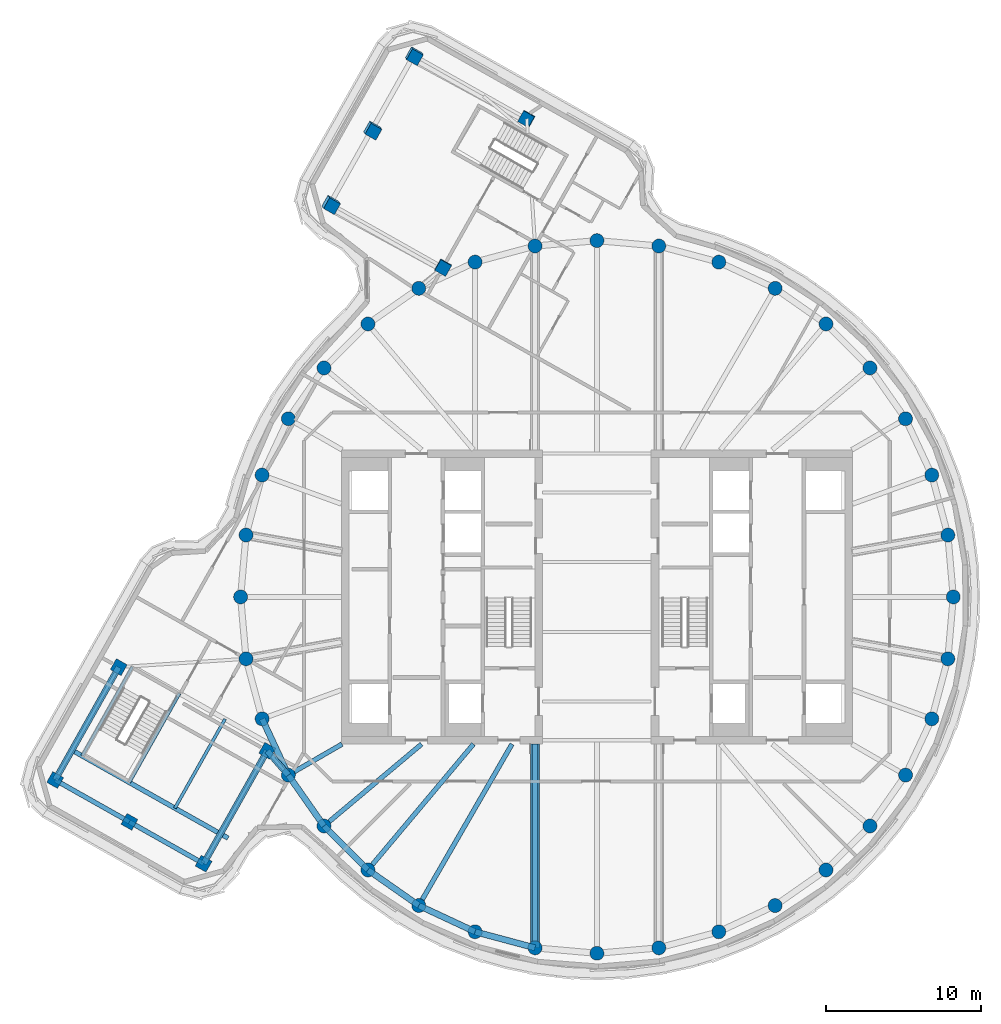
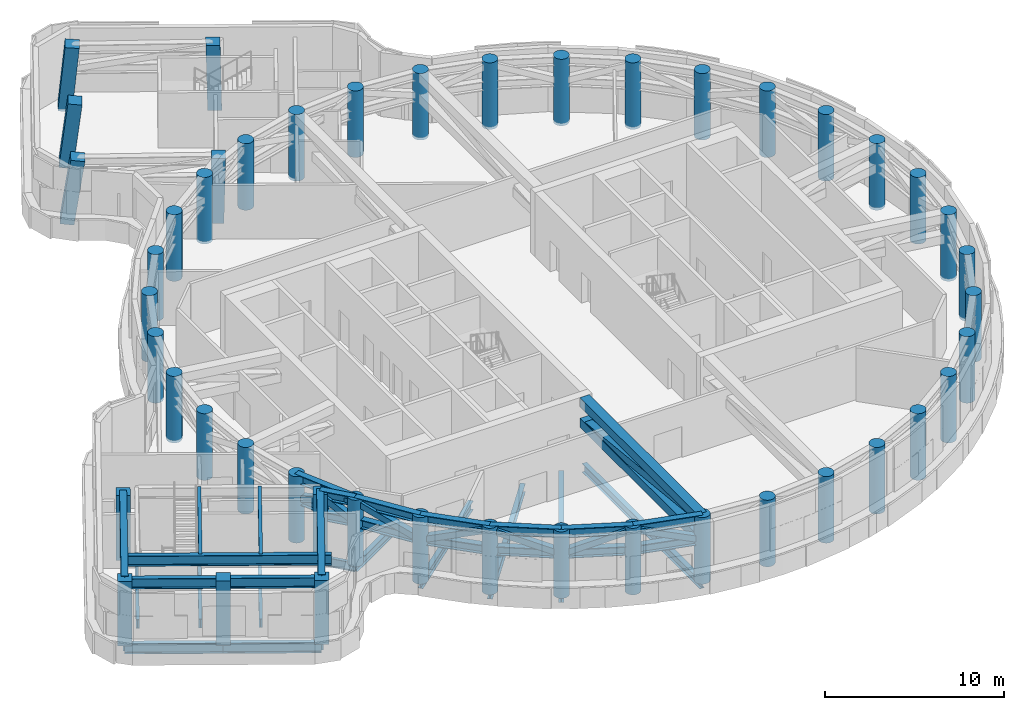
# One storey, part 1 of 15: 46 columns, 30 members, 18 beams.
"""IFC4 building model written with IfcOpenShell, lengths in metres."""

from ifc_helpers import new_model, si_unit, direction, frame, origin, origin_2d, place, context, subcontext, project, spatial, rectangle, hollow_rectangle, circle, i_section, extrude, material, material_profile, profile_set, type_object, element, save


model = new_model("IFC4")

# Units and contexts
model_context = context("Model", 3, precision=1e-05, world=origin(), true_north=direction((0.0, 1.0)))
body_context = subcontext(model_context, "Body", "Model", "MODEL_VIEW")
ifc_project = project(units=[si_unit("LENGTHUNIT", "METRE"), si_unit("AREAUNIT", "SQUARE_METRE"), si_unit("VOLUMEUNIT", "CUBIC_METRE"), si_unit("PLANEANGLEUNIT", "RADIAN"), si_unit("MASSUNIT", "GRAM", prefix="KILO")], contexts=[model_context])

# Site, building, storey
site_placement = place(None, origin())
site = spatial("IfcSite", under=ifc_project, at=site_placement, CompositionType="ELEMENT")
building_placement = place(site_placement, origin())
building = spatial("IfcBuilding", under=site, at=building_placement, Name="Tamarind Cross Interchange Tower", CompositionType="ELEMENT")
storey_placement = place(building_placement, frame((0.0, 0.0, 252.300048828125)))
storey = spatial("IfcBuildingStorey", under=building, at=storey_placement, Name="L64", CompositionType="ELEMENT", Elevation=252.300048828125)

# Columns
ifc_material_1 = material(Name="Concrete C50", Category="concrete")
ifc_material_profile_1 = material_profile(ifc_material_1, rectangle(XDim=0.800048828125, YDim=0.800048828125, at=origin_2d()), Name="RC 800x800")
ifc_profile_set_1 = profile_set([ifc_material_profile_1], Name="Concrete C50")
column_type_1 = type_object("IfcColumnType", Name="Column RC 800x800 Concrete C50", PredefinedType="COLUMN", material=ifc_profile_set_1)
column_1_placement = place(storey_placement, frame((-9.93115234375, 21.282958984375, -0.176025390625), z_axis=(0.003283481108, -0.039832393765, 0.999200980363), x_axis=(0.490053053062, 0.871063415319, 0.033113919684)))
element("IfcColumn", 1, at=column_1_placement, inside=storey, type_object=column_type_1, Name="Column L64-045", PredefinedType="COLUMN", context=body_context, shape_type="SweptSolid", body=[
    extrude(rectangle(XDim=0.800048828125, YDim=0.800048828125, at=origin_2d()), origin(), (0.0, 0.0, 1.0), 4.53564453125),
])
column_2_placement = place(storey_placement, frame((-4.531005859375, 30.8662109375, -0.176025390625), z_axis=(-0.035416630126, -0.01851568505, 0.999201096736), x_axis=(0.870900727276, -0.490976523878, 0.02177099517)))
element("IfcColumn", 2, at=column_2_placement, inside=storey, type_object=column_type_1, Name="Column L64-046", PredefinedType="COLUMN", context=body_context, shape_type="SweptSolid", body=[
    extrude(rectangle(XDim=0.800048828125, YDim=0.800048828125, at=origin_2d()), origin(), (0.0, 0.0, 1.0), 4.535888671875),
])
column_3_placement = place(storey_placement, frame((-11.815185546875, 34.970458984375, -0.17138671875), z_axis=(0.04557917309, -0.099952445458, 0.993947708699), x_axis=(0.49241467136, 0.86795246412, 0.064701711397)))
element("IfcColumn", 3, at=column_3_placement, inside=storey, type_object=column_type_1, Name="Column L64-047", PredefinedType="COLUMN", context=body_context, shape_type="SweptSolid", body=[
    extrude(rectangle(XDim=0.800048828125, YDim=0.800048828125, at=origin_2d()), origin(), (0.0, 0.0, 1.0), 4.552978515625),
])
column_4_placement = place(storey_placement, frame((-14.51513671875, 30.178955078125, -0.172607421875), z_axis=(0.064654092079, -0.110323731976, 0.991790563849), x_axis=(0.493106310183, 0.867584962931, 0.064362247898)))
element("IfcColumn", 4, at=column_4_placement, inside=storey, type_object=column_type_1, Name="Column L64-048", PredefinedType="COLUMN", context=body_context, shape_type="SweptSolid", body=[
    extrude(rectangle(XDim=0.800048828125, YDim=0.800048828125, at=origin_2d()), origin(), (0.0, 0.0, 1.0), 4.5654296875),
])
column_5_placement = place(storey_placement, frame((-17.21533203125, 25.387451171875, -0.173828125), z_axis=(0.083639441686, -0.120581527785, 0.989173664708), x_axis=(0.493570945418, 0.867347744338, 0.063996970486)))
element("IfcColumn", 5, at=column_5_placement, inside=storey, type_object=column_type_1, Name="Column L64-049", PredefinedType="COLUMN", context=body_context, shape_type="SweptSolid", body=[
    extrude(rectangle(XDim=0.800048828125, YDim=0.800048828125, at=origin_2d()), origin(), (0.0, 0.0, 1.0), 4.579833984375),
])
for number, where, z_axis, x_axis, name in (
    (6, (-21.283203125, -9.93115234375, -0.164794921875), (0.0, 0.0, 1.0), (0.490928082303, 0.871200102162, 0.0), "Column L64-052"),
    (7, (-30.8662109375, -4.53076171875, -0.164794921875), (0.0, 0.0, 1.0), (0.490928082303, 0.871200102162, 0.0), "Column L64-053"),
):
    element("IfcColumn", number, at=place(storey_placement, frame(where, z_axis=z_axis, x_axis=x_axis)), inside=storey, type_object=column_type_1, Name=name, PredefinedType="COLUMN", context=body_context, shape_type="SweptSolid", body=[
        extrude(rectangle(XDim=0.800048828125, YDim=0.800048828125, at=origin_2d()), origin(), (0.0, 0.0, 1.0), 4.414794921875),
    ])
column_6_placement = place(storey_placement, frame((-34.971435546875, -11.815673828125, -0.147216796875), z_axis=(0.0, 0.0, 1.0), x_axis=(0.490928082303, 0.871200102162, 0.0)))
element("IfcColumn", 8, at=column_6_placement, inside=storey, type_object=column_type_1, Name="Column L64-054", PredefinedType="COLUMN", context=body_context, shape_type="SweptSolid", body=[
    extrude(rectangle(XDim=0.800048828125, YDim=0.800048828125, at=origin_2d()), origin(), (0.0, 0.0, 1.0), 4.397216796875),
])
column_7_placement = place(storey_placement, frame((-30.1796875, -14.515625, -0.1416015625), z_axis=(0.0, 0.0, 1.0), x_axis=(0.490928082303, 0.871200102162, 0.0)))
element("IfcColumn", 9, at=column_7_placement, inside=storey, type_object=column_type_1, Name="Column L64-055", PredefinedType="COLUMN", context=body_context, shape_type="SweptSolid", body=[
    extrude(rectangle(XDim=0.800048828125, YDim=0.800048828125, at=origin_2d()), origin(), (0.0, 0.0, 1.0), 4.3916015625),
])
column_8_placement = place(storey_placement, frame((-25.38818359375, -17.2158203125, -0.135986328125), z_axis=(0.0, 0.0, 1.0), x_axis=(0.490928082303, 0.871200102162, 0.0)))
element("IfcColumn", 10, at=column_8_placement, inside=storey, type_object=column_type_1, Name="Column L64-056", PredefinedType="COLUMN", context=body_context, shape_type="SweptSolid", body=[
    extrude(rectangle(XDim=0.800048828125, YDim=0.800048828125, at=origin_2d()), origin(), (0.0, 0.0, 1.0), 4.385986328125),
])
ifc_material_profile_2 = material_profile(ifc_material_1, circle(Radius=0.449951171875, at=origin_2d()), Name="RC D900")
ifc_profile_set_2 = profile_set([ifc_material_profile_2], Name="Concrete C50")
column_type_2 = type_object("IfcColumnType", Name="Column RC D900 Concrete C50", PredefinedType="COLUMN", material=ifc_profile_set_2)
for number, where, z_axis, x_axis, name in (
    (11, (23.0, 0.0, -0.179931640625), (0.0, 0.0, 1.0), (1.0, 0.0, 0.0), "Column L64-000"),
    (12, (22.650634765625, 3.993896484375, -0.179931640625), (0.0, 0.0, 1.0), (1.0, 0.0, 0.0), "Column L64-001"),
    (13, (21.613037109375, 7.866455078125, -0.179931640625), (0.0, 0.0, 1.0), (1.0, 0.0, 0.0), "Column L64-002"),
    (14, (19.918701171875, 11.5, -0.179931640625), (0.0, 0.0, 1.0), (1.0, 0.0, 0.0), "Column L64-003"),
    (15, (17.619140625, 14.7841796875, -0.179931640625), (0.0, 0.0, 1.0), (1.0, 0.0, 0.0), "Column L64-004"),
    (16, (14.7841796875, 17.619140625, -0.179931640625), (0.0, 0.0, 1.0), (1.0, 0.0, 0.0), "Column L64-005"),
    (17, (11.5, 19.918701171875, -0.179931640625), (0.0, 0.0, 1.0), (1.0, 0.0, 0.0), "Column L64-006"),
    (18, (7.866455078125, 21.613037109375, -0.179931640625), (0.0, 0.0, 1.0), (1.0, 0.0, 0.0), "Column L64-007"),
    (19, (3.993896484375, 22.650634765625, -0.179931640625), (0.0, 0.0, 1.0), (1.0, 0.0, 0.0), "Column L64-008"),
    (20, (0.0, 23.0, -0.179931640625), (0.0, 0.0, 1.0), (1.0, 0.0, 0.0), "Column L64-009"),
    (21, (-3.993896484375, 22.650634765625, -0.179931640625), (0.0, 0.0, 1.0), (1.0, 0.0, 0.0), "Column L64-010"),
    (22, (-7.866455078125, 21.613037109375, -0.179931640625), (0.0, 0.0, 1.0), (1.0, 0.0, 0.0), "Column L64-011"),
    (23, (-11.5, 19.918701171875, -0.179931640625), (0.0, 0.0, 1.0), (1.0, 0.0, 0.0), "Column L64-012"),
    (24, (-14.7841796875, 17.619140625, -0.179931640625), (0.0, 0.0, 1.0), (1.0, 0.0, 0.0), "Column L64-013"),
    (25, (-17.619140625, 14.7841796875, -0.179931640625), (0.0, 0.0, 1.0), (1.0, 0.0, 0.0), "Column L64-014"),
    (26, (-19.918701171875, 11.5, -0.179931640625), (0.0, 0.0, 1.0), (1.0, 0.0, 0.0), "Column L64-015"),
    (27, (-21.613037109375, 7.866455078125, -0.179931640625), (0.0, 0.0, 1.0), (1.0, 0.0, 0.0), "Column L64-016"),
    (28, (-22.650634765625, 3.993896484375, -0.179931640625), (0.0, 0.0, 1.0), (1.0, 0.0, 0.0), "Column L64-017"),
    (29, (-23.0, 0.0, -0.179931640625), (0.0, 0.0, 1.0), (1.0, 0.0, 0.0), "Column L64-018"),
    (30, (-22.650634765625, -3.993896484375, -0.179931640625), (0.0, 0.0, 1.0), (1.0, 0.0, 0.0), "Column L64-019"),
    (31, (-21.613037109375, -7.866455078125, -0.179931640625), (0.0, 0.0, 1.0), (1.0, 0.0, 0.0), "Column L64-020"),
    (32, (-19.918701171875, -11.5, -0.179931640625), (0.0, 0.0, 1.0), (1.0, 0.0, 0.0), "Column L64-021"),
    (33, (-17.619140625, -14.7841796875, -0.179931640625), (0.0, 0.0, 1.0), (1.0, 0.0, 0.0), "Column L64-022"),
    (34, (-14.7841796875, -17.619140625, -0.179931640625), (0.0, 0.0, 1.0), (1.0, 0.0, 0.0), "Column L64-023"),
    (35, (-11.5, -19.918701171875, -0.179931640625), (0.0, 0.0, 1.0), (1.0, 0.0, 0.0), "Column L64-024"),
    (36, (-7.866455078125, -21.613037109375, -0.179931640625), (0.0, 0.0, 1.0), (1.0, 0.0, 0.0), "Column L64-025"),
    (37, (-3.993896484375, -22.650634765625, -0.179931640625), (0.0, 0.0, 1.0), (1.0, 0.0, 0.0), "Column L64-026"),
    (38, (0.0, -23.0, -0.179931640625), (0.0, 0.0, 1.0), (1.0, 0.0, 0.0), "Column L64-027"),
    (39, (3.993896484375, -22.650634765625, -0.179931640625), (0.0, 0.0, 1.0), (1.0, 0.0, 0.0), "Column L64-028"),
    (40, (7.866455078125, -21.613037109375, -0.179931640625), (0.0, 0.0, 1.0), (1.0, 0.0, 0.0), "Column L64-029"),
    (41, (11.5, -19.918701171875, -0.179931640625), (0.0, 0.0, 1.0), (1.0, 0.0, 0.0), "Column L64-030"),
    (42, (14.7841796875, -17.619140625, -0.179931640625), (0.0, 0.0, 1.0), (1.0, 0.0, 0.0), "Column L64-031"),
    (43, (17.619140625, -14.7841796875, -0.179931640625), (0.0, 0.0, 1.0), (1.0, 0.0, 0.0), "Column L64-032"),
    (44, (19.918701171875, -11.5, -0.179931640625), (0.0, 0.0, 1.0), (1.0, 0.0, 0.0), "Column L64-033"),
    (45, (21.613037109375, -7.866455078125, -0.179931640625), (0.0, 0.0, 1.0), (1.0, 0.0, 0.0), "Column L64-034"),
    (46, (22.650634765625, -3.993896484375, -0.179931640625), (0.0, 0.0, 1.0), (1.0, 0.0, 0.0), "Column L64-035"),
):
    element("IfcColumn", number, at=place(storey_placement, frame(where, z_axis=z_axis, x_axis=x_axis)), inside=storey, type_object=column_type_2, Name=name, PredefinedType="COLUMN", context=body_context, shape_type="SweptSolid", body=[
        extrude(circle(Radius=0.449951171875, at=origin_2d()), origin(), (0.0, 0.0, 1.0), 4.539794921875),
    ])

# Beams
ifc_material_2 = material(Name="Steel Q355B", Category="steel")
ifc_material_profile_3 = material_profile(ifc_material_2, i_section(OverallWidth=0.302001953125, OverallDepth=0.593994140625, WebThickness=0.013916015625, FlangeThickness=0.02294921875, FilletRadius=0.01806640625, at=origin_2d()), Name="HM 594x302x14x23")
ifc_profile_set_3 = profile_set([ifc_material_profile_3], Name="Steel Q355B")
beam_type_1 = type_object("IfcBeamType", Name="Composite beam HM 594x302x14x23 Q355B", PredefinedType="BEAM", material=ifc_profile_set_3)
beam_1_placement = place(storey_placement, frame((-19.918701171875, -11.5, -0.47705078125), z_axis=(0.866026010844, 0.49999894854, 0.0), x_axis=(-0.49999894854, 0.866026010844, 0.0)))
element("IfcBeam", 47, at=beam_1_placement, inside=storey, type_object=beam_type_1, Name="Beam HH21", PredefinedType="BEAM", context=body_context, shape_type="SweptSolid", body=[
    extrude(i_section(OverallWidth=0.302001953125, OverallDepth=0.593994140625, WebThickness=0.013916015625, FlangeThickness=0.02294921875, FilletRadius=0.01806640625, at=origin_2d()), origin(), (0.0, 0.0, 1.0), 4.0),
])
beam_2_placement = place(storey_placement, frame((-17.619140625, -14.7841796875, -0.47705078125), z_axis=(0.766040580814, 0.642792212574, 0.0), x_axis=(-0.642792212574, 0.766040580814, 0.0)))
element("IfcBeam", 48, at=beam_2_placement, inside=storey, type_object=beam_type_1, Name="Beam HH22", PredefinedType="BEAM", context=body_context, shape_type="SweptSolid", body=[
    extrude(i_section(OverallWidth=0.302001953125, OverallDepth=0.593994140625, WebThickness=0.013916015625, FlangeThickness=0.02294921875, FilletRadius=0.01806640625, at=origin_2d()), origin(), (0.0, 0.0, 1.0), 8.220703125),
])
beam_3_placement = place(storey_placement, frame((-14.7841796875, -17.619140625, -0.47705078125), z_axis=(0.642786293979, 0.766045547127, 0.0), x_axis=(-0.766045547127, 0.642786293979, 0.0)))
element("IfcBeam", 49, at=beam_3_placement, inside=storey, type_object=beam_type_1, Name="Beam HH23", PredefinedType="BEAM", context=body_context, shape_type="SweptSolid", body=[
    extrude(i_section(OverallWidth=0.302001953125, OverallDepth=0.593994140625, WebThickness=0.013916015625, FlangeThickness=0.02294921875, FilletRadius=0.01806640625, at=origin_2d()), origin(), (0.0, 0.0, 1.0), 10.598876953125),
])
beam_4_placement = place(storey_placement, frame((-11.5, -19.918701171875, -0.47705078125), z_axis=(0.499993565836, 0.866029118519, 0.0), x_axis=(-0.866029118519, 0.499993565836, 0.0)))
element("IfcBeam", 50, at=beam_4_placement, inside=storey, type_object=beam_type_1, Name="Beam HH24", PredefinedType="BEAM", context=body_context, shape_type="SweptSolid", body=[
    extrude(i_section(OverallWidth=0.302001953125, OverallDepth=0.593994140625, WebThickness=0.013916015625, FlangeThickness=0.02294921875, FilletRadius=0.01806640625, at=origin_2d()), origin(), (0.0, 0.0, 1.0), 12.030517578125),
])
beam_5_placement = place(storey_placement, frame((-3.993896484375, -22.650634765625, -0.47705078125), z_axis=(0.0, 1.0, 0.0), x_axis=(-1.0, 0.0, 0.0)))
element("IfcBeam", 51, at=beam_5_placement, inside=storey, type_object=beam_type_1, Name="Beam HH26", PredefinedType="BEAM", context=body_context, shape_type="SweptSolid", body=[
    extrude(i_section(OverallWidth=0.302001953125, OverallDepth=0.593994140625, WebThickness=0.013916015625, FlangeThickness=0.02294921875, FilletRadius=0.01806640625, at=origin_2d()), origin(), (0.0, 0.0, 1.0), 13.150634765625),
])
ifc_material_profile_4 = material_profile(ifc_material_2, i_section(OverallWidth=0.199951171875, OverallDepth=0.60009765625, WebThickness=0.010986328125, FlangeThickness=0.01708984375, FilletRadius=0.012939453125, at=origin_2d()), Name="HN 600x200x11x17")
ifc_profile_set_4 = profile_set([ifc_material_profile_4], Name="Steel Q355B")
beam_type_2 = type_object("IfcBeamType", Name="Composite beam HN 600x200x11x17 Q355B", PredefinedType="BEAM", material=ifc_profile_set_4)
beam_6_placement = place(storey_placement, frame((-34.971435546875, -11.815673828125, -0.47998046875), z_axis=(0.490938935036, 0.871193986473, 0.0), x_axis=(-0.871193986473, 0.490938935036, 0.0)))
element("IfcBeam", 52, at=beam_6_placement, inside=storey, type_object=beam_type_2, Name="Beam W-edgeem4", PredefinedType="BEAM", context=body_context, shape_type="SweptSolid", body=[
    extrude(i_section(OverallWidth=0.199951171875, OverallDepth=0.60009765625, WebThickness=0.010986328125, FlangeThickness=0.01708984375, FilletRadius=0.012939453125, at=origin_2d()), origin(), (0.0, 0.0, 1.0), 8.362060546875),
])
beam_7_placement = place(storey_placement, frame((-25.38818359375, -17.2158203125, -0.47998046875), z_axis=(0.490929262528, 0.871199437095, 0.0), x_axis=(-0.871199437095, 0.490929262528, 0.0)))
element("IfcBeam", 53, at=beam_7_placement, inside=storey, type_object=beam_type_2, Name="Beam W-edgeep2", PredefinedType="BEAM", context=body_context, shape_type="SweptSolid", body=[
    extrude(i_section(OverallWidth=0.199951171875, OverallDepth=0.60009765625, WebThickness=0.010986328125, FlangeThickness=0.01708984375, FilletRadius=0.012939453125, at=origin_2d()), origin(), (0.0, 0.0, 1.0), 8.361572265625),
])
beam_8_placement = place(storey_placement, frame((-21.283203125, -9.93115234375, -0.47998046875), z_axis=(0.656257201652, -0.754537265667, 0.0), x_axis=(0.754537265667, 0.656257201652, 0.0)))
element("IfcBeam", 54, at=beam_8_placement, inside=storey, type_object=beam_type_2, Name="Beam W-linkep", PredefinedType="BEAM", context=body_context, shape_type="SweptSolid", body=[
    extrude(i_section(OverallWidth=0.199951171875, OverallDepth=0.60009765625, WebThickness=0.010986328125, FlangeThickness=0.01708984375, FilletRadius=0.012939453125, at=origin_2d()), origin(), (0.0, 0.0, 1.0), 2.0791015625),
])
for number, where, z_axis, x_axis, name in (
    (55, (-29.991943359375, -4.507080078125, -0.47998046875), (-0.49095130135, -0.871187017639, 0.0), (0.871187017639, -0.49095130135, 0.0), "Beam W-tr0"),
    (56, (-26.94287109375, -6.225341796875, -0.47998046875), (-0.490923225258, -0.871202839127, 0.0), (0.871202839127, -0.490923225258, 0.0), "Beam W-tr1"),
):
    element("IfcBeam", number, at=place(storey_placement, frame(where, z_axis=z_axis, x_axis=x_axis)), inside=storey, type_object=beam_type_2, Name=name, PredefinedType="BEAM", context=body_context, shape_type="SweptSolid", body=[
        extrude(i_section(OverallWidth=0.199951171875, OverallDepth=0.60009765625, WebThickness=0.010986328125, FlangeThickness=0.01708984375, FilletRadius=0.012939453125, at=origin_2d()), origin(), (0.0, 0.0, 1.0), 6.599853515625),
    ])
beam_9_placement = place(storey_placement, frame((-24.00244140625, -7.882080078125, -0.47998046875), z_axis=(-0.490935480126, -0.871195933389, 0.0), x_axis=(0.871195933389, -0.490935480126, 0.0)))
element("IfcBeam", 57, at=beam_9_placement, inside=storey, type_object=beam_type_2, Name="Beam W-stripp", PredefinedType="BEAM", context=body_context, shape_type="SweptSolid", body=[
    extrude(i_section(OverallWidth=0.199951171875, OverallDepth=0.60009765625, WebThickness=0.010986328125, FlangeThickness=0.01708984375, FilletRadius=0.012939453125, at=origin_2d()), origin(), (0.0, 0.0, 1.0), 6.60009765625),
])
ifc_material_profile_5 = material_profile(ifc_material_2, i_section(OverallWidth=0.300048828125, OverallDepth=0.699951171875, WebThickness=0.012939453125, FlangeThickness=0.02392578125, FilletRadius=0.01806640625, at=origin_2d()), Name="HN 700x300x13x24")
ifc_profile_set_5 = profile_set([ifc_material_profile_5], Name="Steel Q355B")
beam_type_3 = type_object("IfcBeamType", Name="Composite beam HN 700x300x13x24 Q355B", PredefinedType="BEAM", material=ifc_profile_set_5)
for number, where, z_axis, x_axis, name in (
    (58, (-34.971435546875, -11.815673828125, -0.530029296875), (0.871218483752, -0.490895460937, 0.0), (0.490895460937, 0.871218483752, 0.0), "Beam W-tip0"),
    (59, (-30.1796875, -14.515625, -0.530029296875), (0.871188800858, -0.490948137037, 0.0), (0.490948137037, 0.871188800858, 0.0), "Beam W-tip1"),
):
    element("IfcBeam", number, at=place(storey_placement, frame(where, z_axis=z_axis, x_axis=x_axis)), inside=storey, type_object=beam_type_3, Name=name, PredefinedType="BEAM", context=body_context, shape_type="SweptSolid", body=[
        extrude(i_section(OverallWidth=0.300048828125, OverallDepth=0.699951171875, WebThickness=0.012939453125, FlangeThickness=0.02392578125, FilletRadius=0.01806640625, at=origin_2d()), origin(), (0.0, 0.0, 1.0), 5.5),
    ])
ifc_material_profile_6 = material_profile(ifc_material_2, i_section(OverallWidth=0.199951171875, OverallDepth=0.60009765625, WebThickness=0.010986328125, FlangeThickness=0.01708984375, FilletRadius=0.012939453125, at=origin_2d()), Name="HN 600x200x11x17")
ifc_profile_set_6 = profile_set([ifc_material_profile_6], Name="Steel Q355B")
beam_type_4 = type_object("IfcBeamType", Name="Roof beam HN 600x200x11x17 Q355B", PredefinedType="BEAM", material=ifc_profile_set_6)
beam_10_placement = place(storey_placement, frame((-26.94287109375, -6.225341796875, 3.949951171875), z_axis=(-0.490923225258, -0.871202839127, 0.0), x_axis=(0.871202839127, -0.490923225258, 0.0)))
element("IfcBeam", 60, at=beam_10_placement, inside=storey, type_object=beam_type_4, Name="Beam W-tr1", PredefinedType="BEAM", context=body_context, shape_type="SweptSolid", body=[
    extrude(i_section(OverallWidth=0.199951171875, OverallDepth=0.60009765625, WebThickness=0.010986328125, FlangeThickness=0.01708984375, FilletRadius=0.012939453125, at=origin_2d()), origin(), (0.0, 0.0, 1.0), 6.599853515625),
])
beam_11_placement = place(storey_placement, frame((-24.00244140625, -7.882080078125, 3.949951171875), z_axis=(-0.490935480126, -0.871195933389, 0.0), x_axis=(0.871195933389, -0.490935480126, 0.0)))
element("IfcBeam", 61, at=beam_11_placement, inside=storey, type_object=beam_type_4, Name="Beam W-stripp", PredefinedType="BEAM", context=body_context, shape_type="SweptSolid", body=[
    extrude(i_section(OverallWidth=0.199951171875, OverallDepth=0.60009765625, WebThickness=0.010986328125, FlangeThickness=0.01708984375, FilletRadius=0.012939453125, at=origin_2d()), origin(), (0.0, 0.0, 1.0), 6.60009765625),
])
ifc_material_profile_7 = material_profile(ifc_material_2, i_section(OverallWidth=0.300048828125, OverallDepth=0.699951171875, WebThickness=0.012939453125, FlangeThickness=0.02392578125, FilletRadius=0.01806640625, at=origin_2d()), Name="HN 700x300x13x24")
ifc_profile_set_7 = profile_set([ifc_material_profile_7], Name="Steel Q355B")
beam_type_5 = type_object("IfcBeamType", Name="Roof beam HN 700x300x13x24 Q355B", PredefinedType="BEAM", material=ifc_profile_set_7)
for number, where, z_axis, x_axis, name in (
    (62, (-34.971435546875, -11.815673828125, 3.89990234375), (0.871218483752, -0.490895460937, 0.0), (0.490895460937, 0.871218483752, 0.0), "Beam W-tip0"),
    (63, (-30.1796875, -14.515625, 3.89990234375), (0.871188800858, -0.490948137037, 0.0), (0.490948137037, 0.871188800858, 0.0), "Beam W-tip1"),
):
    element("IfcBeam", number, at=place(storey_placement, frame(where, z_axis=z_axis, x_axis=x_axis)), inside=storey, type_object=beam_type_5, Name=name, PredefinedType="BEAM", context=body_context, shape_type="SweptSolid", body=[
        extrude(i_section(OverallWidth=0.300048828125, OverallDepth=0.699951171875, WebThickness=0.012939453125, FlangeThickness=0.02392578125, FilletRadius=0.01806640625, at=origin_2d()), origin(), (0.0, 0.0, 1.0), 5.5),
    ])
beam_12_placement = place(storey_placement, frame((-33.885498046875, -9.888671875, 3.89990234375), z_axis=(0.871199815933, -0.490928590243, 0.0), x_axis=(0.490928590243, 0.871199815933, 0.0)))
element("IfcBeam", 64, at=beam_12_placement, inside=storey, type_object=beam_type_5, Name="Beam W-x364", PredefinedType="BEAM", context=body_context, shape_type="SweptSolid", body=[
    extrude(i_section(OverallWidth=0.300048828125, OverallDepth=0.699951171875, WebThickness=0.012939453125, FlangeThickness=0.02392578125, FilletRadius=0.01806640625, at=origin_2d()), origin(), (0.0, 0.0, 1.0), 11.565185546875),
])

# Members
ifc_material_3 = material(Name="Steel Q420B", Category="steel")
ifc_material_profile_8 = material_profile(ifc_material_3, i_section(OverallWidth=0.39990234375, OverallDepth=0.60009765625, WebThickness=0.02490234375, FlangeThickness=0.0400390625, at=origin_2d()), Name="BH 600x400x25x40")
ifc_profile_set_8 = profile_set([ifc_material_profile_8], Name="Steel Q420B")
member_type_1 = type_object("IfcMemberType", Name="Truss chord BH 600x400x25x40 Q420B", PredefinedType="CHORD", material=ifc_profile_set_8)
for number, where, z_axis, x_axis, name in (
    (65, (-21.613037109375, -7.866455078125, 4.06005859375), (0.422615416827, -0.906309113636, 0.0), (0.906309113636, 0.422615416827, 0.0), "Belt truss ring top H20"),
    (66, (-21.613037109375, -7.866455078125, 2.64990234375), (0.422615416827, -0.906309113636, 0.0), (0.906309113636, 0.422615416827, 0.0), "Belt truss ring bottom H20"),
    (67, (-19.918701171875, -11.5, 4.06005859375), (0.573568599011, -0.819157531998, 0.0), (0.819157531998, 0.573568599011, 0.0), "Belt truss ring top H21"),
    (68, (-19.918701171875, -11.5, 2.64990234375), (0.573568599011, -0.819157531998, 0.0), (0.819157531998, 0.573568599011, 0.0), "Belt truss ring bottom H21"),
    (69, (-17.619140625, -14.7841796875, 4.06005859375), (0.707106781187, -0.707106781187, 0.0), (0.707106781187, 0.707106781187, 0.0), "Belt truss ring top H22"),
    (70, (-17.619140625, -14.7841796875, 2.64990234375), (0.707106781187, -0.707106781187, 0.0), (0.707106781187, 0.707106781187, 0.0), "Belt truss ring bottom H22"),
    (71, (-14.7841796875, -17.619140625, 4.06005859375), (0.819157531998, -0.573568599011, 0.0), (0.573568599011, 0.819157531998, 0.0), "Belt truss ring top H23"),
    (72, (-14.7841796875, -17.619140625, 2.64990234375), (0.819157531998, -0.573568599011, 0.0), (0.573568599011, 0.819157531998, 0.0), "Belt truss ring bottom H23"),
    (73, (-11.5, -19.918701171875, 4.06005859375), (0.906309113636, -0.422615416827, 0.0), (0.422615416827, 0.906309113636, 0.0), "Belt truss ring top H24"),
    (74, (-11.5, -19.918701171875, 2.64990234375), (0.906309113636, -0.422615416827, 0.0), (0.422615416827, 0.906309113636, 0.0), "Belt truss ring bottom H24"),
):
    element("IfcMember", number, at=place(storey_placement, frame(where, z_axis=z_axis, x_axis=x_axis)), inside=storey, type_object=member_type_1, Name=name, PredefinedType="CHORD", context=body_context, shape_type="SweptSolid", body=[
        extrude(i_section(OverallWidth=0.39990234375, OverallDepth=0.60009765625, WebThickness=0.02490234375, FlangeThickness=0.0400390625, at=origin_2d()), origin(), (0.0, 0.0, 1.0), 4.00927734375),
    ])
for number, where, z_axis, x_axis, name in (
    (75, (-7.866455078125, -21.613037109375, 4.06005859375), (0.96592902462, -0.258807108475, 0.0), (0.258807108475, 0.96592902462, 0.0), "Belt truss ring top H25"),
    (76, (-7.866455078125, -21.613037109375, 2.64990234375), (0.96592902462, -0.258807108475, 0.0), (0.258807108475, 0.96592902462, 0.0), "Belt truss ring bottom H25"),
):
    element("IfcMember", number, at=place(storey_placement, frame(where, z_axis=z_axis, x_axis=x_axis)), inside=storey, type_object=member_type_1, Name=name, PredefinedType="CHORD", context=body_context, shape_type="SweptSolid", body=[
        extrude(i_section(OverallWidth=0.39990234375, OverallDepth=0.60009765625, WebThickness=0.02490234375, FlangeThickness=0.0400390625, at=origin_2d()), origin(), (0.0, 0.0, 1.0), 4.009033203125),
    ])
for number, where, z_axis, x_axis, name in (
    (77, (-25.38818359375, -17.2158203125, 4.06005859375), (0.490929262528, 0.871199437095, 0.0), (-0.871199437095, 0.490929262528, 0.0), "Belt truss arm Wep top"),
    (78, (-25.38818359375, -17.2158203125, 2.64990234375), (0.490929262528, 0.871199437095, 0.0), (-0.871199437095, 0.490929262528, 0.0), "Belt truss arm Wep bottom"),
):
    element("IfcMember", number, at=place(storey_placement, frame(where, z_axis=z_axis, x_axis=x_axis)), inside=storey, type_object=member_type_1, Name=name, PredefinedType="CHORD", context=body_context, shape_type="SweptSolid", body=[
        extrude(i_section(OverallWidth=0.39990234375, OverallDepth=0.60009765625, WebThickness=0.02490234375, FlangeThickness=0.0400390625, at=origin_2d()), origin(), (0.0, 0.0, 1.0), 8.361572265625),
    ])
for number, where, z_axis, x_axis, name in (
    (79, (-21.283203125, -9.93115234375, 4.06005859375), (0.656257201652, -0.754537265667, 0.0), (0.754537265667, 0.656257201652, 0.0), "Belt truss arm Wep top"),
    (80, (-21.283203125, -9.93115234375, 2.64990234375), (0.656257201652, -0.754537265667, 0.0), (0.754537265667, 0.656257201652, 0.0), "Belt truss arm Wep bottom"),
):
    element("IfcMember", number, at=place(storey_placement, frame(where, z_axis=z_axis, x_axis=x_axis)), inside=storey, type_object=member_type_1, Name=name, PredefinedType="CHORD", context=body_context, shape_type="SweptSolid", body=[
        extrude(i_section(OverallWidth=0.39990234375, OverallDepth=0.60009765625, WebThickness=0.02490234375, FlangeThickness=0.0400390625, at=origin_2d()), origin(), (0.0, 0.0, 1.0), 2.0791015625),
    ])
for number, where, z_axis, x_axis, name in (
    (81, (-34.971435546875, -11.815673828125, 4.06005859375), (0.490938935036, 0.871193986473, 0.0), (-0.871193986473, 0.490938935036, 0.0), "Belt truss arm Wem top"),
    (82, (-34.971435546875, -11.815673828125, 2.64990234375), (0.490938935036, 0.871193986473, 0.0), (-0.871193986473, 0.490938935036, 0.0), "Belt truss arm Wem bottom"),
):
    element("IfcMember", number, at=place(storey_placement, frame(where, z_axis=z_axis, x_axis=x_axis)), inside=storey, type_object=member_type_1, Name=name, PredefinedType="CHORD", context=body_context, shape_type="SweptSolid", body=[
        extrude(i_section(OverallWidth=0.39990234375, OverallDepth=0.60009765625, WebThickness=0.02490234375, FlangeThickness=0.0400390625, at=origin_2d()), origin(), (0.0, 0.0, 1.0), 8.362060546875),
    ])
ifc_material_profile_9 = material_profile(ifc_material_3, hollow_rectangle(XDim=0.60009765625, YDim=0.60009765625, WallThickness=0.0400390625, at=origin_2d()), Name="BOX 600x600x40")
ifc_profile_set_9 = profile_set([ifc_material_profile_9], Name="Steel Q420B")
member_type_2 = type_object("IfcMemberType", Name="Truss chord BOX 600x600x40 Q420B", PredefinedType="CHORD", material=ifc_profile_set_9)
for number, where, z_axis, x_axis, name in (
    (83, (-3.993896484375, -9.5, 4.06005859375), (0.0, -1.0, 0.0), (1.0, 0.0, 0.0), "Outrigger truss H26 top"),
    (84, (-3.993896484375, -9.5, 2.64990234375), (0.0, -1.0, 0.0), (1.0, 0.0, 0.0), "Outrigger truss H26 bottom"),
):
    element("IfcMember", number, at=place(storey_placement, frame(where, z_axis=z_axis, x_axis=x_axis)), inside=storey, type_object=member_type_2, Name=name, PredefinedType="CHORD", context=body_context, shape_type="SweptSolid", body=[
        extrude(hollow_rectangle(XDim=0.60009765625, YDim=0.60009765625, WallThickness=0.0400390625, at=origin_2d()), origin(), (0.0, 0.0, 1.0), 13.150634765625),
    ])
ifc_material_profile_10 = material_profile(ifc_material_3, hollow_rectangle(XDim=0.39990234375, YDim=0.39990234375, WallThickness=0.02490234375, at=origin_2d()), Name="BOX 400x400x25")
ifc_profile_set_10 = profile_set([ifc_material_profile_10], Name="Steel Q420B")
member_type_3 = type_object("IfcMemberType", Name="Truss diagonal BOX 400x400x25 Q420B", PredefinedType="BRACE", material=ifc_profile_set_10)
for number, where, z_axis, x_axis, name in (
    (85, (-21.613037109375, -7.866455078125, 2.64990234375), (0.398673198935, -0.854964440887, 0.33180639727), (0.906309113636, 0.422615416827, 0.0), "Belt truss ring diagonal H20"),
    (86, (-19.918701171875, -11.5, 4.06005859375), (0.541075232991, -0.772751251109, -0.331802797086), (0.819157531998, 0.573568599011, 0.0), "Belt truss ring diagonal H21"),
    (87, (-17.619140625, -14.7841796875, 2.64990234375), (0.667048751873, -0.667048751873, 0.331801032623), (0.707106781187, 0.707106781187, 0.0), "Belt truss ring diagonal H22"),
    (88, (-14.7841796875, -17.619140625, 4.06005859375), (0.772751251109, -0.541075232991, -0.331802797086), (0.573568599011, 0.819157531998, 0.0), "Belt truss ring diagonal H23"),
    (89, (-11.5, -19.918701171875, 2.64990234375), (0.854964440887, -0.398673198935, 0.33180639727), (0.422615416827, 0.906309113636, 0.0), "Belt truss ring diagonal H24"),
    (90, (-7.866455078125, -21.613037109375, 4.06005859375), (0.911206410564, -0.244144953026, -0.33180735263), (0.258807108475, 0.96592902462, 0.0), "Belt truss ring diagonal H25"),
):
    element("IfcMember", number, at=place(storey_placement, frame(where, z_axis=z_axis, x_axis=x_axis)), inside=storey, type_object=member_type_3, Name=name, PredefinedType="BRACE", context=body_context, shape_type="SweptSolid", body=[
        extrude(hollow_rectangle(XDim=0.39990234375, YDim=0.39990234375, WallThickness=0.02490234375, at=origin_2d()), origin(), (0.0, 0.0, 1.0), 4.25),
    ])
member_1_placement = place(storey_placement, frame((-25.38818359375, -17.2158203125, 2.64990234375), z_axis=(0.484093393604, 0.859068554678, 0.166297338019), x_axis=(-0.871199437095, 0.490929262528, 0.0)))
element("IfcMember", 91, at=member_1_placement, inside=storey, type_object=member_type_3, Name="Belt truss arm Wep diagonal", PredefinedType="BRACE", context=body_context, shape_type="SweptSolid", body=[
    extrude(hollow_rectangle(XDim=0.39990234375, YDim=0.39990234375, WallThickness=0.02490234375, at=origin_2d()), origin(), (0.0, 0.0, 1.0), 8.479736328125),
])
member_2_placement = place(storey_placement, frame((-21.283203125, -9.93115234375, 4.06005859375), z_axis=(0.543126957576, -0.624464811126, -0.561299213984), x_axis=(0.754537265667, 0.656257201652, 0.0)))
element("IfcMember", 92, at=member_2_placement, inside=storey, type_object=member_type_3, Name="Belt truss arm Wep diagonal", PredefinedType="BRACE", context=body_context, shape_type="SweptSolid", body=[
    extrude(hollow_rectangle(XDim=0.39990234375, YDim=0.39990234375, WallThickness=0.02490234375, at=origin_2d()), origin(), (0.0, 0.0, 1.0), 2.51220703125),
])
member_3_placement = place(storey_placement, frame((-34.971435546875, -11.815673828125, 2.64990234375), z_axis=(0.484103463843, 0.859064124747, 0.166290907354), x_axis=(-0.871193986473, 0.490938935036, 0.0)))
element("IfcMember", 93, at=member_3_placement, inside=storey, type_object=member_type_3, Name="Belt truss arm Wem diagonal", PredefinedType="BRACE", context=body_context, shape_type="SweptSolid", body=[
    extrude(hollow_rectangle(XDim=0.39990234375, YDim=0.39990234375, WallThickness=0.02490234375, at=origin_2d()), origin(), (0.0, 0.0, 1.0), 8.47998046875),
])
ifc_material_profile_11 = material_profile(ifc_material_3, hollow_rectangle(XDim=0.5, YDim=0.5, WallThickness=0.030029296875, at=origin_2d()), Name="BOX 500x500x30")
ifc_profile_set_11 = profile_set([ifc_material_profile_11], Name="Steel Q420B")
member_type_4 = type_object("IfcMemberType", Name="Truss diagonal BOX 500x500x30 Q420B", PredefinedType="BRACE", material=ifc_profile_set_11)
member_4_placement = place(storey_placement, frame((-3.993896484375, -9.5, 2.64990234375), z_axis=(0.0, -0.994299862393, 0.106619808877), x_axis=(1.0, 0.0, 0.0)))
element("IfcMember", 94, at=member_4_placement, inside=storey, type_object=member_type_4, Name="Outrigger truss H26 diagonal", PredefinedType="BRACE", context=body_context, shape_type="SweptSolid", body=[
    extrude(hollow_rectangle(XDim=0.5, YDim=0.5, WallThickness=0.030029296875, at=origin_2d()), origin(), (0.0, 0.0, 1.0), 13.22607421875),
])

save(model, "model.ifc")
